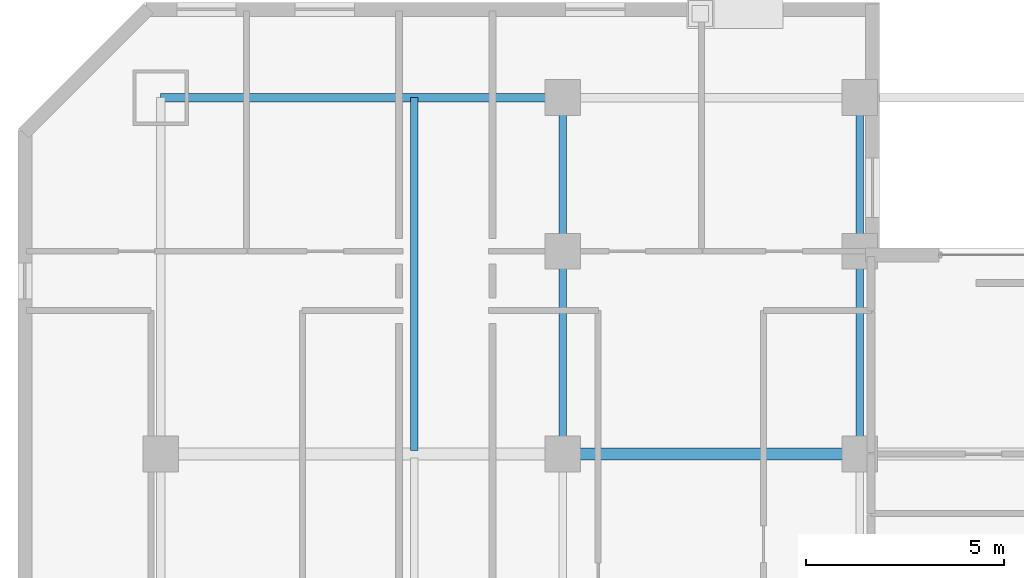
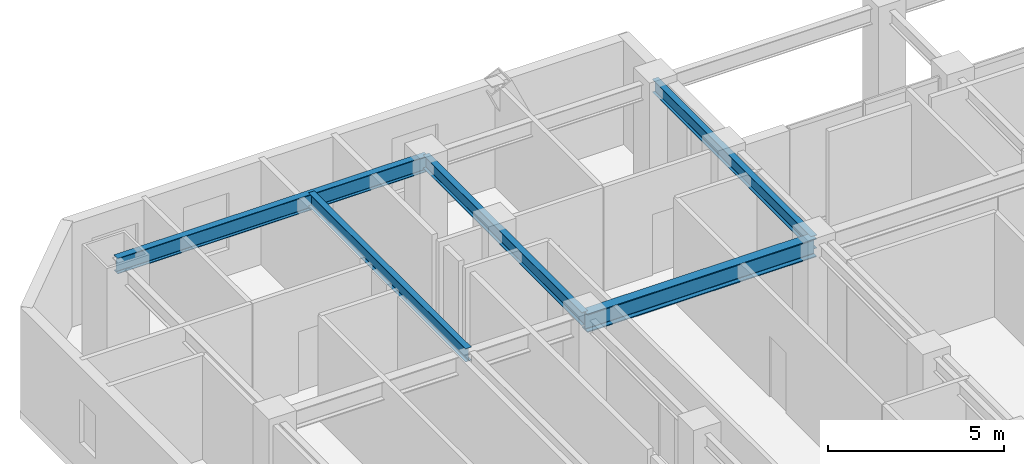
# One storey, part 2 of 14: 5 beams.
"""IFC4 building model written with IfcOpenShell, lengths in metres."""

import ifcopenshell
import ifcopenshell.guid

model = None  # the IFC model being written
_history = None  # IfcOwnerHistory: only IFC2X3 demands one
_inside = {}  # id of a spatial element -> (the spatial element, [elements in it])
_under = {}  # id of a project, library or spatial element -> (it, [spatial elements below it])
_declared = {}  # id of a project -> (the project, [libraries it declares])
_typed = {}  # id of a type object -> (the type object, [elements of that type])
_made_of = {}  # id of a material, layer set ... -> (it, [elements and type objects made of it])


def new_model(schema):
    """Start an empty IFC model of exactly this schema.

    Asked for "IFC4X3", IfcOpenShell would pick the latest addendum, in which some entities
    have other attributes; the version numbers below select the first issue.
    IFC2X3 requires an IfcOwnerHistory on every rooted entity: one is made here for all.
    """
    global model, _history
    if schema == "IFC4X3":
        model = ifcopenshell.file(schema_version=(4, 3, 0, 0))
    else:
        model = ifcopenshell.file(schema=schema)
    _inside.clear()
    _under.clear()
    _declared.clear()
    _typed.clear()
    _made_of.clear()
    _history = None
    if model.schema == "IFC2X3":
        org = make("IfcOrganization", Name="unknown")
        user = make(
            "IfcPersonAndOrganization",
            ThePerson=make("IfcPerson", FamilyName="unknown"),
            TheOrganization=org,
        )
        app = make(
            "IfcApplication",
            ApplicationDeveloper=org,
            Version="unknown",
            ApplicationFullName="unknown",
            ApplicationIdentifier="unknown",
        )
        _history = make(
            "IfcOwnerHistory",
            OwningUser=user,
            OwningApplication=app,
            ChangeAction="ADDED",
            CreationDate=0,
        )
    return model


def make(cls, **values):
    """One entity of the class cls with the attributes given. An attribute that is None is left unset."""
    return model.create_entity(
        cls, **{name: value for name, value in values.items() if value is not None}
    )


def rooted(cls, **values):
    """An entity with a GlobalId (a new one), such as an element, a storey or a relation."""
    return make(cls, GlobalId=ifcopenshell.guid.new(), OwnerHistory=_history, **values)


def si_unit(unit_type, name, prefix=None):
    """IfcSIUnit, for example si_unit("LENGTHUNIT", "METRE", prefix="MILLI")."""
    return make("IfcSIUnit", UnitType=unit_type, Prefix=prefix, Name=name)


def assignment(units):
    """IfcUnitAssignment: the units of a project."""
    return None if units is None else make("IfcUnitAssignment", Units=units)


def point(xyz):
    """IfcCartesianPoint."""
    return None if xyz is None else make("IfcCartesianPoint", Coordinates=xyz)


def direction(xyz):
    """IfcDirection."""
    return None if xyz is None else make("IfcDirection", DirectionRatios=xyz)


def frame(location, z_axis=None, x_axis=None):
    """IfcAxis2Placement3D, a coordinate frame: its origin and axes. An axis left out is left unset."""
    return make(
        "IfcAxis2Placement3D",
        Location=point(location),
        Axis=direction(z_axis),
        RefDirection=direction(x_axis),
    )


def frame_2d(location, x_axis=None):
    """IfcAxis2Placement2D, a coordinate frame in the plane: its origin and x axis."""
    return make(
        "IfcAxis2Placement2D", Location=point(location), RefDirection=direction(x_axis)
    )


def origin():
    """The frame at (0, 0, 0) with its axes left unset."""
    return frame((0.0, 0.0, 0.0))


def origin_2d():
    """The frame at (0, 0) in the plane with its x axis left unset."""
    return frame_2d((0.0, 0.0))


def place(relative_to, where):
    """IfcLocalPlacement: puts the frame where relative to a parent placement (None: the world)."""
    return make(
        "IfcLocalPlacement", PlacementRelTo=relative_to, RelativePlacement=where
    )


def context(
    kind, dimensions, precision=None, world=None, true_north=None, identifier=None
):
    """IfcGeometricRepresentationContext, for example the 3D "Model" context."""
    return make(
        "IfcGeometricRepresentationContext",
        ContextIdentifier=identifier,
        ContextType=kind,
        CoordinateSpaceDimension=dimensions,
        Precision=precision,
        WorldCoordinateSystem=world,
        TrueNorth=true_north,
    )


def subcontext(parent, identifier, kind, view, scale=None):
    """IfcGeometricRepresentationSubContext, for example "Body" below "Model"."""
    return make(
        "IfcGeometricRepresentationSubContext",
        ContextIdentifier=identifier,
        ContextType=kind,
        ParentContext=parent,
        TargetScale=scale,
        TargetView=view,
    )


def project(units=None, contexts=None):
    """IfcProject with its units and contexts."""
    return rooted(
        "IfcProject",
        Name="project",
        RepresentationContexts=contexts,
        UnitsInContext=assignment(units),
    )


def spatial(cls, under=None, at=None, **own):
    """A site, building, storey or space (cls), placed at a placement, below another one or the project."""
    s = rooted(cls, ObjectPlacement=at, **own)
    if under is not None:
        _under.setdefault(under.id(), (under, []))[1].append(s)
    return s


def profile(cls, at=None, kind="AREA", **sizes):
    """A parametric profile (cls). Its sizes go by their IFC names, for example OverallWidth=200.0."""
    return make(cls, ProfileType=kind, Position=at, **sizes)


def i_section(**sizes):
    """IfcIShapeProfileDef."""
    return profile("IfcIShapeProfileDef", **sizes)


def extrude(swept, where, along, depth):
    """IfcExtrudedAreaSolid: the profile swept, set in the frame where, extruded along a direction by depth."""
    return make(
        "IfcExtrudedAreaSolid",
        SweptArea=swept,
        Position=where,
        ExtrudedDirection=direction(along),
        Depth=depth,
    )


def shape(context_of_items, identifier, shape_type, items):
    """IfcShapeRepresentation: the items that make up one representation, for example the "Body"."""
    return make(
        "IfcShapeRepresentation",
        ContextOfItems=context_of_items,
        RepresentationIdentifier=identifier,
        RepresentationType=shape_type,
        Items=items,
    )


def material(Name=None, Category=None):
    """IfcMaterial."""
    return make("IfcMaterial", Name=Name, Category=Category)


def material_profile(
    of_material, cross_section, Name=None, Category=None, Priority=None
):
    """IfcMaterialProfile: a cross section and its material."""
    return make(
        "IfcMaterialProfile",
        Name=Name,
        Material=of_material,
        Profile=cross_section,
        Priority=Priority,
        Category=Category,
    )


def profile_set(profiles, Name=None, composite=None):
    """IfcMaterialProfileSet."""
    return make(
        "IfcMaterialProfileSet",
        Name=Name,
        MaterialProfiles=profiles,
        CompositeProfile=composite,
    )


def made_of(thing, what):
    """Note that an element or type object is made of a material, layer set ...; save() writes the relation."""
    if what is not None:
        _made_of.setdefault(what.id(), (what, []))[1].append(thing)
    return thing


def type_object(cls, material=None, **own):
    """A type object (cls), such as IfcWallType, which elements share."""
    return made_of(rooted(cls, **own), material)


def element(
    cls,
    number,
    at=None,
    inside=None,
    cuts=None,
    type_object=None,
    material=None,
    context=None,
    identifier="Body",
    shape_type=None,
    held_by="IfcProductDefinitionShape",
    body=None,
    shapes=None,
    **own,
):
    """One element of the class cls, such as IfcWall. Its Tag is "e" and its number.

    at: its placement. inside: the storey or other place that contains it. cuts: it is an
    opening in that element (IfcRelVoidsElement). A single representation is given by context,
    identifier, shape_type and body (its items); several are given by shapes. held_by: the class
    of the entity that holds the representations. save() writes the other relations.
    """
    e = rooted(cls, Tag="e%d" % number, ObjectPlacement=at, **own)
    if body is not None:
        shapes = [shape(context, identifier, shape_type, body)]
    if shapes is not None:
        e.Representation = make(held_by, Representations=shapes)
    if inside is not None:
        _inside.setdefault(inside.id(), (inside, []))[1].append(e)
    if cuts is not None:
        rooted(
            "IfcRelVoidsElement", RelatingBuildingElement=cuts, RelatedOpeningElement=e
        )
    if type_object is not None:
        _typed.setdefault(type_object.id(), (type_object, []))[1].append(e)
    return made_of(e, material)


def aggregate(whole, parts):
    """IfcRelAggregates: a whole, such as a stair, and the parts it consists of."""
    return rooted("IfcRelAggregates", RelatingObject=whole, RelatedObjects=parts)


def save(model, path):
    """Write the relations noted so far, then the file.

    IfcRelAggregates (storeys below a building ...), IfcRelContainedInSpatialStructure (elements
    in a storey), IfcRelDefinesByType, IfcRelAssociatesMaterial and IfcRelDeclares: one each for
    every whole, place, type object, material and project.
    """
    for whole, parts in _under.values():
        aggregate(whole, parts)
    for where, things in _inside.values():
        rooted(
            "IfcRelContainedInSpatialStructure",
            RelatedElements=things,
            RelatingStructure=where,
        )
    for kind, things in _typed.values():
        rooted("IfcRelDefinesByType", RelatedObjects=things, RelatingType=kind)
    for what, things in _made_of.values():
        rooted("IfcRelAssociatesMaterial", RelatedObjects=things, RelatingMaterial=what)
    for by, libraries in _declared.values():
        rooted("IfcRelDeclares", RelatingContext=by, RelatedDefinitions=libraries)
    model.write(path)


model = new_model("IFC4")

# Units and contexts
model_context = context("Model", 3, precision=1e-05, world=origin(), true_north=direction((0.0, 1.0)))
body_context = subcontext(model_context, "Body", "Model", "MODEL_VIEW")
ifc_project = project(units=[si_unit("LENGTHUNIT", "METRE"), si_unit("AREAUNIT", "SQUARE_METRE"), si_unit("VOLUMEUNIT", "CUBIC_METRE"), si_unit("PLANEANGLEUNIT", "RADIAN"), si_unit("MASSUNIT", "GRAM", prefix="KILO")], contexts=[model_context])

# Site, building, storey
site_placement = place(None, origin())
site = spatial("IfcSite", under=ifc_project, at=site_placement, CompositionType="ELEMENT")
building_placement = place(site_placement, origin())
building = spatial("IfcBuilding", under=site, at=building_placement, Name="Ventersveld Concourse Tower", CompositionType="ELEMENT")
storey_placement = place(building_placement, frame((0.0, 0.0, 81.050048828125)))
storey = spatial("IfcBuildingStorey", under=building, at=storey_placement, Name="L19", CompositionType="ELEMENT", Elevation=81.050048828125)

# Beams
ifc_material = material(Name="Structural steel S355J2", Category="steel")
ifc_material_profile_1 = material_profile(ifc_material, i_section(OverallWidth=0.19140625, OverallDepth=0.4599609375, WebThickness=0.010009765625, FlangeThickness=0.01611328125, FilletRadius=0.01025390625, at=origin_2d()), Name="UB 457x191x82")
ifc_profile_set_1 = profile_set([ifc_material_profile_1], Name="Structural steel S355J2")
beam_type_1 = type_object("IfcBeamType", Name="BM-UB457H", PredefinedType="BEAM", material=ifc_profile_set_1)
beam_1_placement = place(storey_placement, frame((10.0, 35.094970703125, 3.369873046875), z_axis=(0.0, 1.0, 0.0), x_axis=(-1.0, 0.0, 0.0)))
element("IfcBeam", 1, at=beam_1_placement, inside=storey, type_object=beam_type_1, Name="L19 N-S Composite Floor Beam North X=10.00", PredefinedType="BEAM", context=body_context, shape_type="SweptSolid", body=[
    extrude(i_section(OverallWidth=0.19140625, OverallDepth=0.4599609375, WebThickness=0.010009765625, FlangeThickness=0.01611328125, FilletRadius=0.01025390625, at=origin_2d()), origin(), (0.0, 0.0, 1.0), 8.905029296875),
])
for number, where, z_axis, x_axis, name in (
    (2, (13.75, 35.0, 3.369873046875), (0.0, 1.0, 0.0), (-1.0, 0.0, 0.0), "L19 N-S Composite Floor Beam North X=13.75"),
    (3, (21.25, 35.0, 3.369873046875), (0.0, 1.0, 0.0), (-1.0, 0.0, 0.0), "L19 N-S Composite Floor Beam North X=21.25"),
):
    element("IfcBeam", number, at=place(storey_placement, frame(where, z_axis=z_axis, x_axis=x_axis)), inside=storey, type_object=beam_type_1, Name=name, PredefinedType="BEAM", context=body_context, shape_type="SweptSolid", body=[
        extrude(i_section(OverallWidth=0.19140625, OverallDepth=0.4599609375, WebThickness=0.010009765625, FlangeThickness=0.01611328125, FilletRadius=0.01025390625, at=origin_2d()), origin(), (0.0, 0.0, 1.0), 9.0),
    ])
ifc_material_profile_2 = material_profile(ifc_material, i_section(OverallWidth=0.311279296875, OverallDepth=0.6357421875, WebThickness=0.018310546875, FlangeThickness=0.031494140625, FilletRadius=0.0166015625, at=origin_2d()), Name="UB 610x305x238")
ifc_profile_set_2 = profile_set([ifc_material_profile_2], Name="Structural steel S355J2")
beam_type_2 = type_object("IfcBeamType", Name="GRD-UB610H", PredefinedType="USERDEFINED", material=ifc_profile_set_2)
beam_2_placement = place(storey_placement, frame((13.75, 35.0, 3.281982421875), z_axis=(1.0, 0.0, 0.0), x_axis=(0.0, 1.0, 0.0)))
element("IfcBeam", 4, at=beam_2_placement, inside=storey, type_object=beam_type_2, Name="L19 E-W Grid Girder Y=35.00 #2", ObjectType="GIRDER", PredefinedType="USERDEFINED", context=body_context, shape_type="SweptSolid", body=[
    extrude(i_section(OverallWidth=0.311279296875, OverallDepth=0.6357421875, WebThickness=0.018310546875, FlangeThickness=0.031494140625, FilletRadius=0.0166015625, at=origin_2d()), origin(), (0.0, 0.0, 1.0), 7.5),
])
ifc_material_profile_3 = material_profile(ifc_material, i_section(OverallWidth=0.2119140625, OverallDepth=0.54443359375, WebThickness=0.0126953125, FlangeThickness=0.021240234375, FilletRadius=0.0126953125, at=origin_2d()), Name="UB 533x210x122")
ifc_profile_set_3 = profile_set([ifc_material_profile_3], Name="Structural steel S355J2")
beam_type_3 = type_object("IfcBeamType", Name="SPD-UB533", PredefinedType="SPANDREL", material=ifc_profile_set_3)
beam_3_placement = place(storey_placement, frame((3.60009765625, 44.0, 3.32763671875), z_axis=(1.0, 0.0, 0.0), x_axis=(0.0, 1.0, 0.0)))
element("IfcBeam", 5, at=beam_3_placement, inside=storey, type_object=beam_type_3, Name="L19 North Spandrel Girder Y=44.00 #1", PredefinedType="SPANDREL", context=body_context, shape_type="SweptSolid", body=[
    extrude(i_section(OverallWidth=0.2119140625, OverallDepth=0.54443359375, WebThickness=0.0126953125, FlangeThickness=0.021240234375, FilletRadius=0.0126953125, at=origin_2d()), origin(), (0.0, 0.0, 1.0), 10.14990234375),
])

save(model, "model.ifc")
